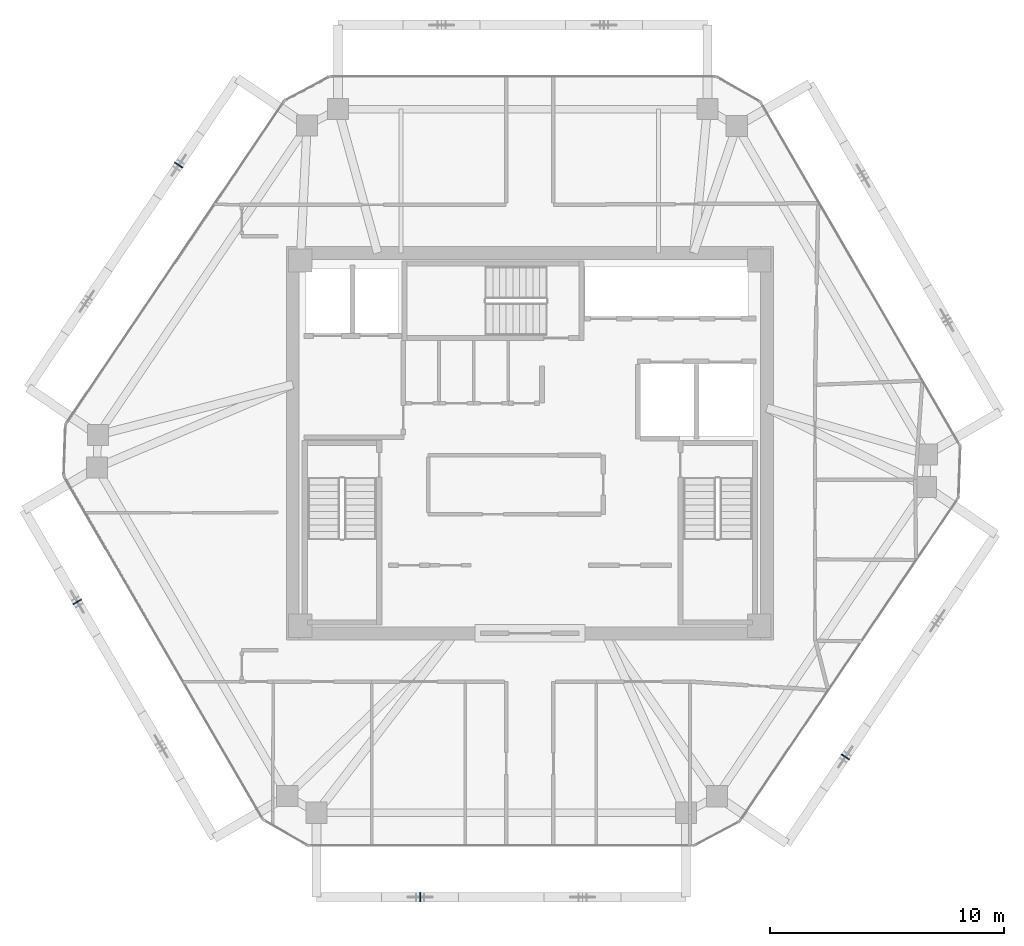
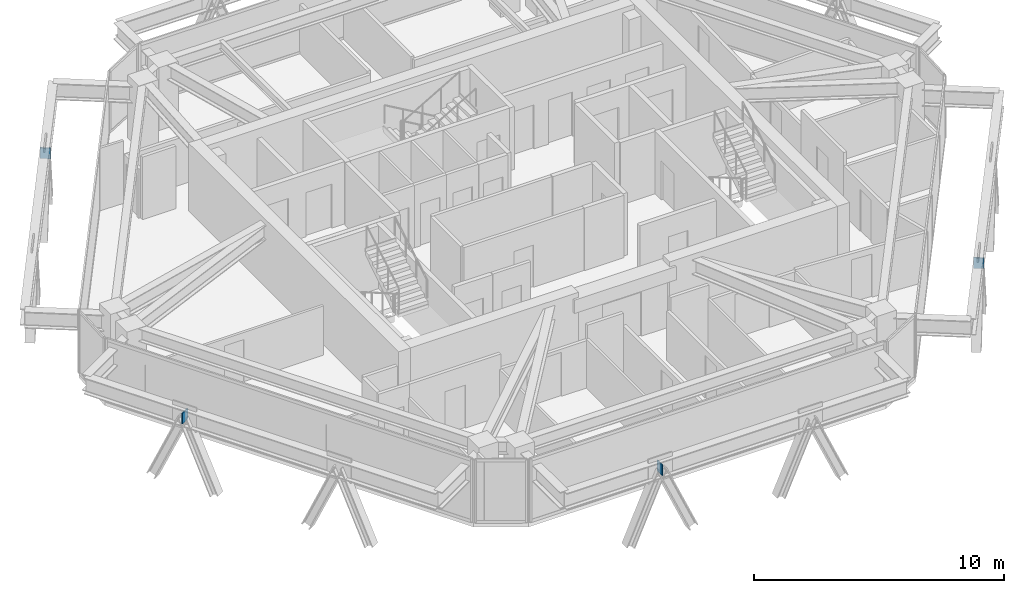
# One storey, part 8 of 13: 4 plates.
"""IFC4 building model written with IfcOpenShell, lengths in metres."""

from ifc_helpers import new_model, si_unit, direction, frame, origin, origin_2d, place, context, subcontext, project, spatial, rectangle, extrude, source, transform, mapped, material, layer, layer_set, type_object, type_shapes, element, save


model = new_model("IFC4")

# Units and contexts
model_context = context("Model", 3, precision=1e-05, world=origin(), true_north=direction((0.0, 1.0)))
body_context = subcontext(model_context, "Body", "Model", "MODEL_VIEW")
ifc_project = project(units=[si_unit("LENGTHUNIT", "METRE"), si_unit("AREAUNIT", "SQUARE_METRE"), si_unit("VOLUMEUNIT", "CUBIC_METRE"), si_unit("PLANEANGLEUNIT", "RADIAN"), si_unit("MASSUNIT", "GRAM", prefix="KILO")], contexts=[model_context])

# Site, building, storey
site_placement = place(None, origin())
site = spatial("IfcSite", under=ifc_project, at=site_placement, CompositionType="ELEMENT")
building_placement = place(site_placement, origin())
building = spatial("IfcBuilding", under=site, at=building_placement, Name="Durnholm Broadcast Tower", CompositionType="ELEMENT")
storey_placement = place(building_placement, frame((0.0, 0.0, 248.0)))
storey = spatial("IfcBuildingStorey", under=building, at=storey_placement, Name="L69", CompositionType="ELEMENT", Elevation=248.0)

# Plates
ifc_material = material(Name="Steel ASTM A572 Grade 50", Category="steel")
ifc_layer = layer(ifc_material, 0.044921875)
ifc_layer_set = layer_set([ifc_layer], Name="Steel ASTM A572 Grade 50")
plate_type = type_object("IfcPlateType", Name="PLT-KN-STIF", PredefinedType="SHEET", material=ifc_layer_set)
shared_shape = source(origin(), body_context, "Body", "SweptSolid", [
    extrude(rectangle(XDim=0.044921875, YDim=0.419921875, at=origin_2d()), origin(), (0.0, 0.0, 1.0), 0.52001953125),
])
type_shapes(plate_type, [shared_shape])
for number, where, z_axis, x_axis, name in (
    (1, (-4.688720703125, -19.385986328125, 2.048583984375), (0.0, 0.0, 1.0), (1.0, 0.0, 0.0), "L69 welded diagrid node stiffener plate F1"),
    (2, (13.47412109375, -13.398193359375, 2.048583984375), (0.0, 0.0, 1.0), (0.560060762816, 0.828451532652, 0.0), "L69 welded diagrid node stiffener plate F2"),
    (3, (-14.998046875, 11.874267578125, 2.048583984375), (0.0, 0.0, 1.0), (-0.560060762816, -0.828451532652, 0.0), "L69 welded diagrid node stiffener plate F5"),
    (4, (-19.330810546875, -6.77880859375, 2.048583984375), (0.0, 0.0, 1.0), (0.501963660617, -0.864888711581, 0.0), "L69 welded diagrid node stiffener plate F6"),
):
    element("IfcPlate", number, at=place(storey_placement, frame(where, z_axis=z_axis, x_axis=x_axis)), inside=storey, type_object=plate_type, Name=name, PredefinedType="SHEET", context=body_context, shape_type="MappedRepresentation", body=[
        mapped(shared_shape, transform((0.0, 0.0, 0.0), x_axis=(1.0, 0.0, 0.0), y_axis=(0.0, 1.0, 0.0), z_axis=(0.0, 0.0, 1.0), scale=1.0)),
    ])

save(model, "model.ifc")
